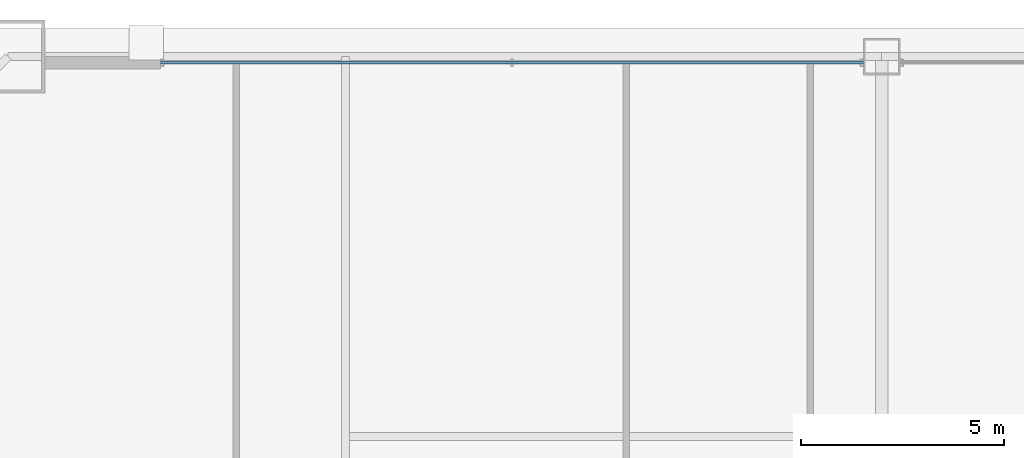
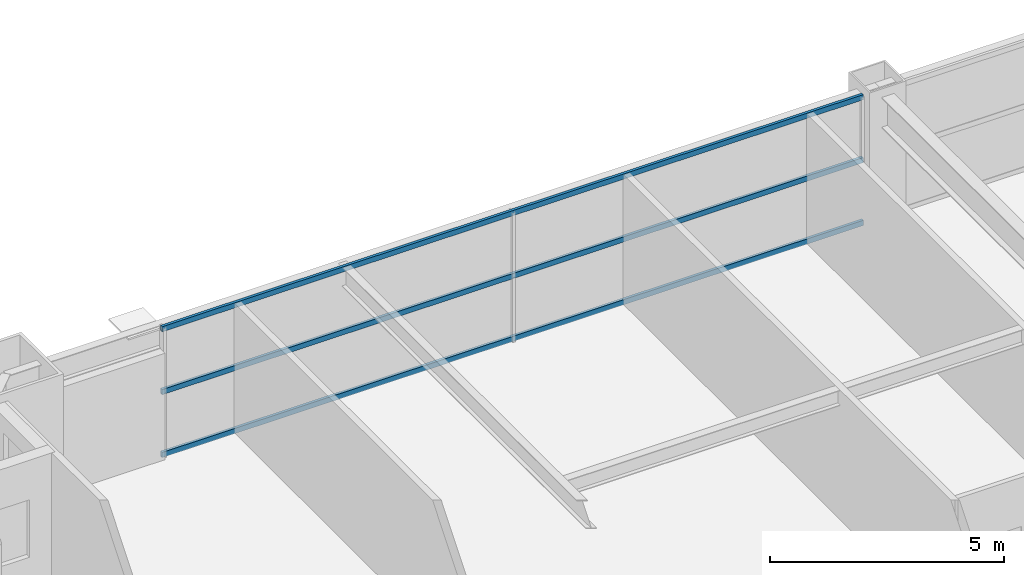
# One storey, part 28 of 43: 3 members, 1 element without a shape of its own.
"""IFC4 building model written with IfcOpenShell, lengths in metres."""

from ifc_helpers import new_model, si_unit, direction, frame, origin, origin_2d, place, context, subcontext, project, spatial, hollow_rectangle, extrude, source, transform, mapped, material, layer, layer_set, material_profile, profile_set, type_object, element, aggregate, save


model = new_model("IFC4")

# Units and contexts
model_context = context("Model", 3, precision=1e-05, world=origin(), true_north=direction((0.0, 1.0)))
body_context = subcontext(model_context, "Body", "Model", "MODEL_VIEW")
ifc_project = project(units=[si_unit("LENGTHUNIT", "METRE"), si_unit("AREAUNIT", "SQUARE_METRE"), si_unit("VOLUMEUNIT", "CUBIC_METRE"), si_unit("PLANEANGLEUNIT", "RADIAN"), si_unit("MASSUNIT", "GRAM", prefix="KILO"), si_unit("THERMODYNAMICTEMPERATUREUNIT", "KELVIN"), si_unit("POWERUNIT", "WATT")], contexts=[model_context])

# Site, building, storey
site_placement = place(None, origin())
site = spatial("IfcSite", under=ifc_project, at=site_placement, CompositionType="ELEMENT")
building_placement = place(site_placement, origin())
building = spatial("IfcBuilding", under=site, at=building_placement, Name="Yuzanri Waterfront Tower", CompositionType="ELEMENT")
storey_placement = place(building_placement, frame((0.0, 0.0, 71.199951171875)))
storey = spatial("IfcBuildingStorey", under=building, at=storey_placement, Name="L18", CompositionType="ELEMENT", Elevation=71.199951171875)

# Curtain wall, members
ifc_material_1 = material(Name="Anodized Architectural Bronze", Category="metal")
ifc_layer = layer(ifc_material_1, 0.159912109375)
ifc_layer_set = layer_set([ifc_layer], Name="Anodized Architectural Bronze")
curtain_wall_type = type_object("IfcCurtainWallType", Name="Anodized Bronze Hotel Lower-Tier Recessed Unitized Curtain Wall 8100", PredefinedType="NOTDEFINED", material=ifc_layer_set)
curtain_wall_placement = place(storey_placement, origin())
curtain_wall = element("IfcCurtainWall", 1, at=curtain_wall_placement, inside=storey, type_object=curtain_wall_type, Name="L18 Curtain Wall CW-L18-NL", PredefinedType="NOTDEFINED")
ifc_material_2 = material(Name="Anodized Architectural Bronze", Category="metal")
ifc_material_profile = material_profile(ifc_material_2, hollow_rectangle(XDim=0.070068359375, YDim=0.135009765625, WallThickness=0.00341796875, at=origin_2d()), Name="CWT 70x135")
ifc_profile_set = profile_set([ifc_material_profile], Name="Anodized Architectural Bronze")
member_type = type_object("IfcMemberType", Name="Anodized Bronze Standard Curtain-Wall Transom 70x135", PredefinedType="USERDEFINED", material=ifc_profile_set)
shared_shape = source(origin(), body_context, "Body", "SweptSolid", [
    extrude(hollow_rectangle(XDim=0.070068359375, YDim=0.135009765625, WallThickness=0.00341796875, at=origin_2d()), origin(), (0.0, 0.0, 1.0), 17.300048828125),
])
member_1_placement = place(storey_placement, frame((19.25, 50.75, 0.050048828125), z_axis=(1.0, 0.0, 0.0), x_axis=(0.0, 1.0, 0.0)))
member_1 = element("IfcMember", 2, at=member_1_placement, type_object=member_type, Name="CW-L18-NL Transom 1", ObjectType="TRANSOM", PredefinedType="USERDEFINED", context=body_context, shape_type="MappedRepresentation", body=[
    mapped(shared_shape, transform((0.0, 0.0, 0.0), scale=1.0)),
])
member_2_placement = place(storey_placement, frame((19.25, 50.75, 1.68994140625), z_axis=(1.0, 0.0, 0.0), x_axis=(0.0, 1.0, 0.0)))
member_2 = element("IfcMember", 3, at=member_2_placement, type_object=member_type, Name="CW-L18-NL Transom 2", ObjectType="TRANSOM", PredefinedType="USERDEFINED", context=body_context, shape_type="MappedRepresentation", body=[
    mapped(shared_shape, transform((0.0, 0.0, 0.0), scale=1.0)),
])
member_3_placement = place(storey_placement, frame((19.25, 50.75, 3.330078125), z_axis=(1.0, 0.0, 0.0), x_axis=(0.0, 1.0, 0.0)))
member_3 = element("IfcMember", 4, at=member_3_placement, type_object=member_type, Name="CW-L18-NL Transom 3", ObjectType="TRANSOM", PredefinedType="USERDEFINED", context=body_context, shape_type="MappedRepresentation", body=[
    mapped(shared_shape, transform((0.0, 0.0, 0.0), scale=1.0)),
])
aggregate(curtain_wall, [member_1, member_2, member_3])

save(model, "model.ifc")
